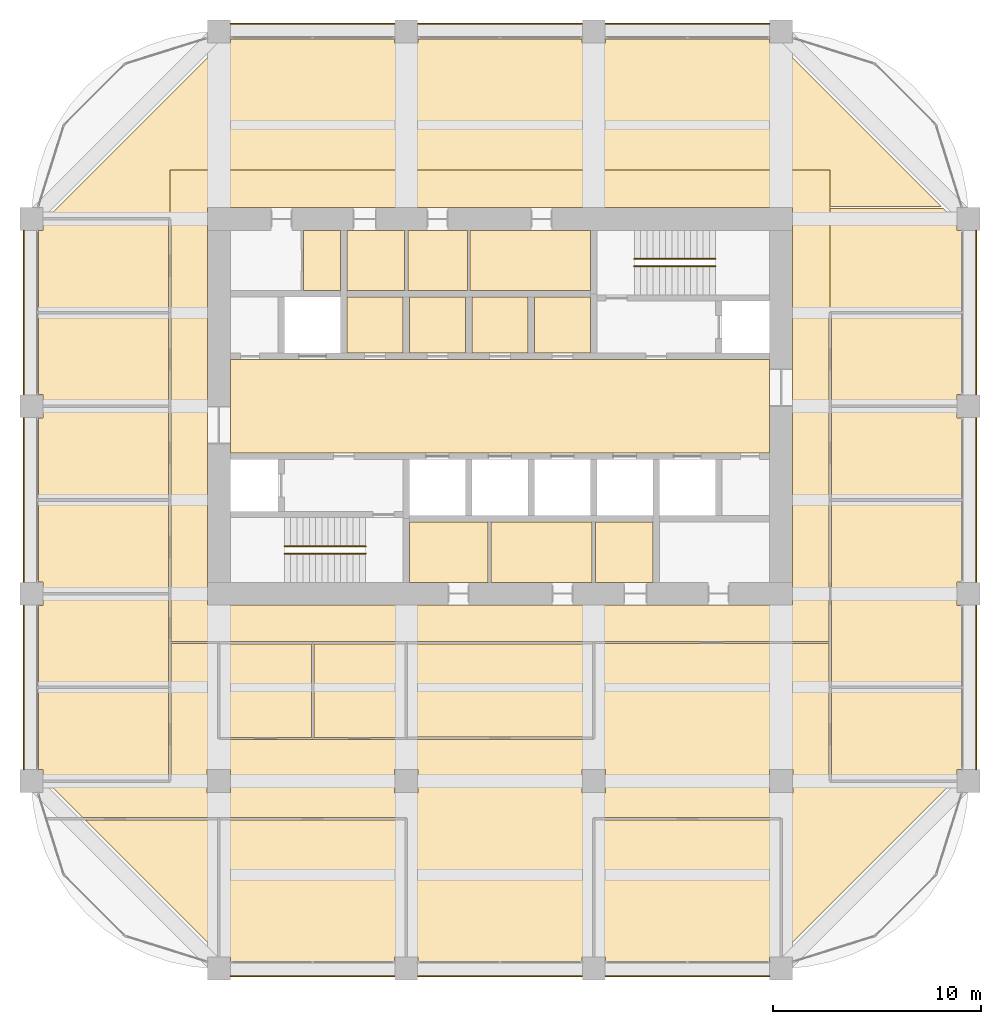
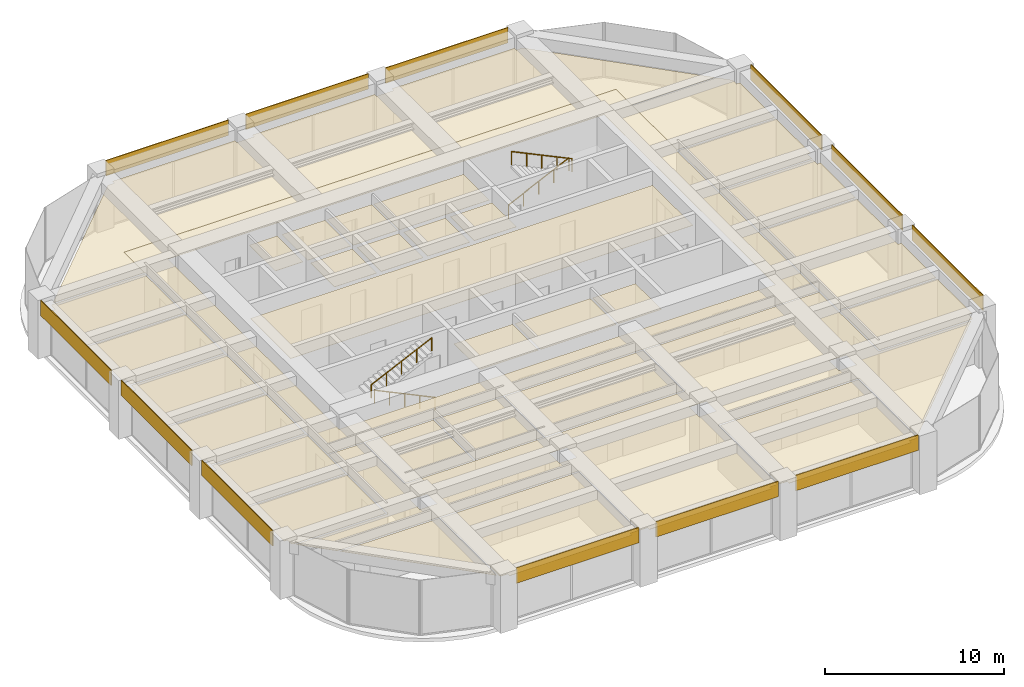
# One storey, part 44 of 44: 44 coverings, 4 railings.
"""IFC4 building model written with IfcOpenShell, lengths in metres."""

from ifc_helpers import new_model, si_unit, direction, frame, frame_2d, origin, origin_2d, place, context, subcontext, project, spatial, polyline, rectangle, circle, outline, extrude, material, layer, layer_set, type_object, element, save


model = new_model("IFC4")

# Units and contexts
model_context = context("Model", 3, precision=1e-05, world=origin(), true_north=direction((0.0, 1.0)))
body_context = subcontext(model_context, "Body", "Model", "MODEL_VIEW")
ifc_project = project(units=[si_unit("LENGTHUNIT", "METRE"), si_unit("AREAUNIT", "SQUARE_METRE"), si_unit("VOLUMEUNIT", "CUBIC_METRE"), si_unit("PLANEANGLEUNIT", "RADIAN"), si_unit("MASSUNIT", "GRAM", prefix="KILO")], contexts=[model_context])

# Site, building, storey
site_placement = place(None, origin())
site = spatial("IfcSite", under=ifc_project, at=site_placement, CompositionType="ELEMENT")
building_placement = place(site_placement, origin())
building = spatial("IfcBuilding", under=site, at=building_placement, Name="Zorevar Civic Tower", CompositionType="ELEMENT")
storey_placement = place(building_placement, frame((0.0, 0.0, 287.39990234375)))
storey = spatial("IfcBuildingStorey", under=building, at=storey_placement, Name="L70", CompositionType="ELEMENT", Elevation=287.39990234375)

# Railings
ifc_material_1 = material(Name="Black steel handrail", Category="steel")
railing_type = type_object("IfcRailingType", Name="Handrail HR1 900", PredefinedType="HANDRAIL", material=ifc_material_1)
railing_1_placement = place(storey_placement, frame((25.050048828125, 19.925048828125, 0.14306640625)))
element("IfcRailing", 1, at=railing_1_placement, inside=storey, type_object=railing_type, Name="Handrail HR1 ST1 L70", PredefinedType="HANDRAIL", context=body_context, shape_type="SweptSolid", body=[
    extrude(circle(Radius=0.02392578125, at=origin_2d()), frame((0.0, 0.0, 0.8759765625), z_axis=(-0.902885590262, 0.0, 0.429880926418), x_axis=(0.0, -1.0, 0.0)), (0.0, 0.0, 1.0), 4.319580078125),
    extrude(circle(Radius=0.02099609375, at=origin_2d()), origin(), (0.0, 0.0, 1.0), 0.851806640625),
    extrude(circle(Radius=0.02099609375, at=origin_2d()), frame((-0.97509765625, 0.0, 0.46435546875)), (0.0, 0.0, 1.0), 0.851806640625),
    extrude(circle(Radius=0.02099609375, at=origin_2d()), frame((-1.9501953125, 0.0, 0.928466796875)), (0.0, 0.0, 1.0), 0.851806640625),
    extrude(circle(Radius=0.02099609375, at=origin_2d()), frame((-2.925048828125, 0.0, 1.392578125)), (0.0, 0.0, 1.0), 0.851806640625),
    extrude(circle(Radius=0.02099609375, at=origin_2d()), frame((-3.900146484375, 0.0, 1.85693359375)), (0.0, 0.0, 1.0), 0.851806640625),
])
for number, where, name in (
    (2, (21.14990234375, 20.27490234375, 2.14306640625), "Handrail HR1 ST1 L70"),
    (3, (37.949951171875, 34.074951171875, 0.14306640625), "Handrail HR1 ST2 L70"),
):
    element("IfcRailing", number, at=place(storey_placement, frame(where)), inside=storey, type_object=railing_type, Name=name, PredefinedType="HANDRAIL", context=body_context, shape_type="SweptSolid", body=[
        extrude(circle(Radius=0.02392578125, at=origin_2d()), frame((0.0, 0.0, 0.8759765625), z_axis=(0.902885590262, 0.0, 0.429880926418), x_axis=(0.0, 1.0, 0.0)), (0.0, 0.0, 1.0), 4.319580078125),
        extrude(circle(Radius=0.02099609375, at=origin_2d()), origin(), (0.0, 0.0, 1.0), 0.851806640625),
        extrude(circle(Radius=0.02099609375, at=origin_2d()), frame((0.97509765625, 0.0, 0.46435546875)), (0.0, 0.0, 1.0), 0.851806640625),
        extrude(circle(Radius=0.02099609375, at=origin_2d()), frame((1.9501953125, 0.0, 0.928466796875)), (0.0, 0.0, 1.0), 0.851806640625),
        extrude(circle(Radius=0.02099609375, at=origin_2d()), frame((2.925048828125, 0.0, 1.392578125)), (0.0, 0.0, 1.0), 0.851806640625),
        extrude(circle(Radius=0.02099609375, at=origin_2d()), frame((3.900146484375, 0.0, 1.85693359375)), (0.0, 0.0, 1.0), 0.851806640625),
    ])
railing_2_placement = place(storey_placement, frame((41.85009765625, 33.72509765625, 2.14306640625)))
element("IfcRailing", 4, at=railing_2_placement, inside=storey, type_object=railing_type, Name="Handrail HR1 ST2 L70", PredefinedType="HANDRAIL", context=body_context, shape_type="SweptSolid", body=[
    extrude(circle(Radius=0.02392578125, at=origin_2d()), frame((0.0, 0.0, 0.8759765625), z_axis=(-0.902885590262, 0.0, 0.429880926418), x_axis=(0.0, -1.0, 0.0)), (0.0, 0.0, 1.0), 4.319580078125),
    extrude(circle(Radius=0.02099609375, at=origin_2d()), origin(), (0.0, 0.0, 1.0), 0.851806640625),
    extrude(circle(Radius=0.02099609375, at=origin_2d()), frame((-0.97509765625, 0.0, 0.46435546875)), (0.0, 0.0, 1.0), 0.851806640625),
    extrude(circle(Radius=0.02099609375, at=origin_2d()), frame((-1.9501953125, 0.0, 0.928466796875)), (0.0, 0.0, 1.0), 0.851806640625),
    extrude(circle(Radius=0.02099609375, at=origin_2d()), frame((-2.925048828125, 0.0, 1.392578125)), (0.0, 0.0, 1.0), 0.851806640625),
    extrude(circle(Radius=0.02099609375, at=origin_2d()), frame((-3.900146484375, 0.0, 1.85693359375)), (0.0, 0.0, 1.0), 0.851806640625),
])

# Coverings
ifc_material_2 = material(Name="Moisture-resistant gypsum board")
ifc_layer_1 = layer(ifc_material_2, 0.012451171875)
ifc_layer_set_1 = layer_set([ifc_layer_1], Name="Moisture-resistant ceiling SC3")
covering_type_1 = type_object("IfcCoveringType", Name="Moisture-resistant ceiling SC3", PredefinedType="CEILING", material=ifc_layer_set_1)
covering_1_placement = place(storey_placement, frame((0.0, 0.0, 3.0)))
element("IfcCovering", 5, at=covering_1_placement, inside=storey, type_object=covering_type_1, Name="Ceiling L70-05", PredefinedType="CEILING", context=body_context, shape_type="SweptSolid", body=[
    extrude(outline(polyline([(30.925048828125, 18.550048828125), (30.925048828125, 21.449951171875), (27.14990234375, 21.449951171875), (27.14990234375, 18.550048828125), (30.925048828125, 18.550048828125)])), origin(), (0.0, 0.0, 1.0), 0.0126953125),
])
covering_2_placement = place(storey_placement, frame((0.0, 0.0, 3.0)))
element("IfcCovering", 6, at=covering_2_placement, inside=storey, type_object=covering_type_1, Name="Ceiling L70-06", PredefinedType="CEILING", context=body_context, shape_type="SweptSolid", body=[
    extrude(outline(polyline([(35.925048828125, 18.550048828125), (35.925048828125, 21.449951171875), (31.074951171875, 21.449951171875), (31.074951171875, 18.550048828125), (35.925048828125, 18.550048828125)])), origin(), (0.0, 0.0, 1.0), 0.0126953125),
])
covering_3_placement = place(storey_placement, frame((0.0, 0.0, 3.0)))
element("IfcCovering", 7, at=covering_3_placement, inside=storey, type_object=covering_type_1, Name="Ceiling L70-07", PredefinedType="CEILING", context=body_context, shape_type="SweptSolid", body=[
    extrude(outline(polyline([(38.85009765625, 18.550048828125), (38.85009765625, 21.449951171875), (36.074951171875, 21.449951171875), (36.074951171875, 18.550048828125), (38.85009765625, 18.550048828125)])), origin(), (0.0, 0.0, 1.0), 0.0126953125),
])
covering_4_placement = place(storey_placement, frame((0.0, 0.0, 3.0)))
element("IfcCovering", 8, at=covering_4_placement, inside=storey, type_object=covering_type_1, Name="Ceiling L70-10", PredefinedType="CEILING", context=body_context, shape_type="SweptSolid", body=[
    extrude(outline(polyline([(26.925048828125, 32.550048828125), (26.925048828125, 35.449951171875), (24.14990234375, 35.449951171875), (24.14990234375, 32.550048828125), (26.925048828125, 32.550048828125)])), origin(), (0.0, 0.0, 1.0), 0.0126953125),
])
ifc_material_3 = material(Name="Black anodised aluminium spandrel panel", Category="aluminium")
ifc_layer_2 = layer(ifc_material_3, 0.050048828125)
ifc_layer_set_2 = layer_set([ifc_layer_2], Name="Spandrel cladding SP1")
covering_type_2 = type_object("IfcCoveringType", Name="Spandrel cladding SP1", PredefinedType="CLADDING", material=ifc_layer_set_2)
for number, where, z_axis, x_axis, name in (
    (9, (18.550048828125, -0.375, 2.9501953125), (0.0, 0.0, 1.0), (1.0, 0.0, 0.0), "Spandrel cladding L71"),
    (10, (27.550048828125, -0.375, 2.9501953125), (0.0, 0.0, 1.0), (1.0, 0.0, 0.0), "Spandrel cladding L71"),
    (11, (36.550048828125, -0.375, 2.9501953125), (0.0, 0.0, 1.0), (1.0, 0.0, 0.0), "Spandrel cladding L71"),
    (12, (18.550048828125, 45.375, 2.9501953125), (0.0, 0.0, 1.0), (1.0, 0.0, 0.0), "Spandrel cladding L71"),
    (13, (27.550048828125, 45.375, 2.9501953125), (0.0, 0.0, 1.0), (1.0, 0.0, 0.0), "Spandrel cladding L71"),
    (14, (36.550048828125, 45.375, 2.9501953125), (0.0, 0.0, 1.0), (1.0, 0.0, 0.0), "Spandrel cladding L71"),
    (15, (8.625, 9.550048828125, 2.9501953125), (0.0, 0.0, 1.0), (0.0, 1.0, 0.0), "Spandrel cladding L71"),
    (16, (8.625, 18.550048828125, 2.9501953125), (0.0, 0.0, 1.0), (0.0, 1.0, 0.0), "Spandrel cladding L71"),
    (17, (8.625, 27.550048828125, 2.9501953125), (0.0, 0.0, 1.0), (0.0, 1.0, 0.0), "Spandrel cladding L71"),
    (18, (54.375, 9.550048828125, 2.9501953125), (0.0, 0.0, 1.0), (0.0, 1.0, 0.0), "Spandrel cladding L71"),
    (19, (54.375, 18.550048828125, 2.9501953125), (0.0, 0.0, 1.0), (0.0, 1.0, 0.0), "Spandrel cladding L71"),
    (20, (54.375, 27.550048828125, 2.9501953125), (0.0, 0.0, 1.0), (0.0, 1.0, 0.0), "Spandrel cladding L71"),
):
    element("IfcCovering", number, at=place(storey_placement, frame(where, z_axis=z_axis, x_axis=x_axis)), inside=storey, type_object=covering_type_2, Name=name, PredefinedType="CLADDING", context=body_context, shape_type="SweptSolid", body=[
        extrude(rectangle(XDim=7.89990234375, YDim=0.050048828125, at=frame_2d((3.949951171875, 0.0))), origin(), (0.0, 0.0, 1.0), 1.0498046875),
    ])
ifc_material_4 = material(Name="Mineral fibre tiles on a concealed grid")
ifc_layer_3 = layer(ifc_material_4, 0.02001953125)
ifc_layer_set_3 = layer_set([ifc_layer_3], Name="Suspended ceiling SC1")
covering_type_3 = type_object("IfcCoveringType", Name="Suspended ceiling SC1", PredefinedType="CEILING", material=ifc_layer_set_3)
covering_5_placement = place(storey_placement, frame((0.0, 0.0, 3.0)))
element("IfcCovering", 21, at=covering_5_placement, inside=storey, type_object=covering_type_3, Name="Ceiling L70-08", PredefinedType="CEILING", context=body_context, shape_type="SweptSolid", body=[
    extrude(outline(polyline([(35.85009765625, 32.550048828125), (35.85009765625, 35.449951171875), (30.06005859375, 35.449951171875), (30.06005859375, 32.550048828125), (35.85009765625, 32.550048828125)])), origin(), (0.0, 0.0, 1.0), 0.02001953125),
])
covering_6_placement = place(storey_placement, frame((0.0, 0.0, 3.0)))
element("IfcCovering", 22, at=covering_6_placement, inside=storey, type_object=covering_type_3, Name="Ceiling L70-09", PredefinedType="CEILING", context=body_context, shape_type="SweptSolid", body=[
    extrude(outline(polyline([(29.93994140625, 32.550048828125), (29.93994140625, 35.449951171875), (27.074951171875, 35.449951171875), (27.074951171875, 32.550048828125), (29.93994140625, 32.550048828125)])), origin(), (0.0, 0.0, 1.0), 0.02001953125),
])
covering_7_placement = place(storey_placement, frame((0.0, 0.0, 3.0)))
element("IfcCovering", 23, at=covering_7_placement, inside=storey, type_object=covering_type_3, Name="Ceiling L70-12", PredefinedType="CEILING", context=body_context, shape_type="SweptSolid", body=[
    extrude(outline(polyline([(23.85009765625, 32.550048828125), (23.85009765625, 35.449951171875), (22.06005859375, 35.449951171875), (22.06005859375, 32.550048828125), (23.85009765625, 32.550048828125)])), origin(), (0.0, 0.0, 1.0), 0.02001953125),
])
covering_8_placement = place(storey_placement, frame((0.0, 0.0, 3.0)))
element("IfcCovering", 24, at=covering_8_placement, inside=storey, type_object=covering_type_3, Name="Ceiling L70-16", PredefinedType="CEILING", context=body_context, shape_type="SweptSolid", body=[
    extrude(outline(polyline([(44.449951171875, 24.75), (44.449951171875, 29.25), (18.550048828125, 29.25), (18.550048828125, 24.75), (44.449951171875, 24.75)])), origin(), (0.0, 0.0, 1.0), 0.02001953125),
])
covering_9_placement = place(storey_placement, frame((0.0, 0.0, 3.0)))
element("IfcCovering", 25, at=covering_9_placement, inside=storey, type_object=covering_type_3, Name="Ceiling L70-17", PredefinedType="CEILING", context=body_context, shape_type="SweptSolid", body=[
    extrude(outline(polyline([(35.85009765625, 29.550048828125), (35.85009765625, 32.25), (33.14990234375, 32.25), (33.14990234375, 29.550048828125), (35.85009765625, 29.550048828125)])), origin(), (0.0, 0.0, 1.0), 0.02001953125),
])
covering_10_placement = place(storey_placement, frame((0.0, 0.0, 3.0)))
element("IfcCovering", 26, at=covering_10_placement, inside=storey, type_object=covering_type_3, Name="Ceiling L70-18", PredefinedType="CEILING", context=body_context, shape_type="SweptSolid", body=[
    extrude(outline(polyline([(32.85009765625, 29.550048828125), (32.85009765625, 32.25), (30.14990234375, 32.25), (30.14990234375, 29.550048828125), (32.85009765625, 29.550048828125)])), origin(), (0.0, 0.0, 1.0), 0.02001953125),
])
covering_11_placement = place(storey_placement, frame((0.0, 0.0, 3.0)))
element("IfcCovering", 27, at=covering_11_placement, inside=storey, type_object=covering_type_3, Name="Ceiling L70-19", PredefinedType="CEILING", context=body_context, shape_type="SweptSolid", body=[
    extrude(outline(polyline([(29.85009765625, 29.550048828125), (29.85009765625, 32.25), (27.14990234375, 32.25), (27.14990234375, 29.550048828125), (29.85009765625, 29.550048828125)])), origin(), (0.0, 0.0, 1.0), 0.02001953125),
])
covering_12_placement = place(storey_placement, frame((0.0, 0.0, 3.0)))
element("IfcCovering", 28, at=covering_12_placement, inside=storey, type_object=covering_type_3, Name="Ceiling L70-20", PredefinedType="CEILING", context=body_context, shape_type="SweptSolid", body=[
    extrude(outline(polyline([(26.85009765625, 29.550048828125), (26.85009765625, 32.25), (24.14990234375, 32.25), (24.14990234375, 29.550048828125), (26.85009765625, 29.550048828125)])), origin(), (0.0, 0.0, 1.0), 0.02001953125),
])
covering_13_placement = place(storey_placement, frame((0.0, 0.0, 3.0)))
element("IfcCovering", 29, at=covering_13_placement, inside=storey, type_object=covering_type_3, Name="Ceiling L70-21", PredefinedType="CEILING", context=body_context, shape_type="SweptSolid", body=[
    extrude(outline(polyline([(53.64990234375, 13.43994140625), (53.64990234375, 9.56005859375), (53.43994140625, 9.56005859375), (53.43994140625, 9.147216796875), (53.352783203125, 9.06005859375), (47.409912109375, 9.06005859375), (47.409912109375, 13.43994140625), (53.64990234375, 13.43994140625)])), origin(), (0.0, 0.0, 1.0), 0.02001953125),
])
covering_14_placement = place(storey_placement, frame((0.0, 0.0, 3.0)))
element("IfcCovering", 30, at=covering_14_placement, inside=storey, type_object=covering_type_3, Name="Ceiling L70-22", PredefinedType="CEILING", context=body_context, shape_type="SweptSolid", body=[
    extrude(outline(polyline([(47.409912109375, 22.43994140625), (53.64990234375, 22.43994140625), (53.64990234375, 18.56005859375), (53.43994140625, 18.56005859375), (53.43994140625, 17.43994140625), (53.64990234375, 17.43994140625), (53.64990234375, 13.56005859375), (47.409912109375, 13.56005859375), (47.409912109375, 22.43994140625)])), origin(), (0.0, 0.0, 1.0), 0.02001953125),
])
covering_15_placement = place(storey_placement, frame((0.0, 0.0, 3.0)))
element("IfcCovering", 31, at=covering_15_placement, inside=storey, type_object=covering_type_3, Name="Ceiling L70-23", PredefinedType="CEILING", context=body_context, shape_type="SweptSolid", body=[
    extrude(outline(polyline([(47.409912109375, 26.93994140625), (53.43994140625, 26.93994140625), (53.43994140625, 26.43994140625), (53.64990234375, 26.43994140625), (53.64990234375, 22.56005859375), (47.409912109375, 22.56005859375), (47.409912109375, 26.93994140625)])), origin(), (0.0, 0.0, 1.0), 0.02001953125),
])
covering_16_placement = place(storey_placement, frame((0.0, 0.0, 3.0)))
element("IfcCovering", 32, at=covering_16_placement, inside=storey, type_object=covering_type_3, Name="Ceiling L70-24", PredefinedType="CEILING", context=body_context, shape_type="SweptSolid", body=[
    extrude(outline(polyline([(47.409912109375, 31.43994140625), (53.64990234375, 31.43994140625), (53.64990234375, 27.56005859375), (53.43994140625, 27.56005859375), (53.43994140625, 27.06005859375), (47.409912109375, 27.06005859375), (47.409912109375, 31.43994140625)])), origin(), (0.0, 0.0, 1.0), 0.02001953125),
])
covering_17_placement = place(storey_placement, frame((0.0, 0.0, 3.0)))
element("IfcCovering", 33, at=covering_17_placement, inside=storey, type_object=covering_type_3, Name="Ceiling L70-25", PredefinedType="CEILING", context=body_context, shape_type="SweptSolid", body=[
    extrude(outline(polyline([(18.56005859375, 0.56005859375), (18.147216796875, 0.56005859375), (18.06005859375, 0.647216796875), (18.06005859375, 7.139892578125), (26.93994140625, 7.139892578125), (26.93994140625, 0.56005859375), (26.43994140625, 0.56005859375), (26.43994140625, 0.35009765625), (18.56005859375, 0.35009765625), (18.56005859375, 0.56005859375)])), origin(), (0.0, 0.0, 1.0), 0.02001953125),
])
covering_18_placement = place(storey_placement, frame((0.0, 0.0, 3.0)))
element("IfcCovering", 34, at=covering_18_placement, inside=storey, type_object=covering_type_3, Name="Ceiling L70-26", PredefinedType="CEILING", context=body_context, shape_type="SweptSolid", body=[
    extrude(outline(polyline([(36.56005859375, 0.56005859375), (36.06005859375, 0.56005859375), (36.06005859375, 7.139892578125), (44.93994140625, 7.139892578125), (44.93994140625, 0.647216796875), (44.852783203125, 0.56005859375), (44.43994140625, 0.56005859375), (44.43994140625, 0.35009765625), (36.56005859375, 0.35009765625), (36.56005859375, 0.56005859375)])), origin(), (0.0, 0.0, 1.0), 0.02001953125),
])
covering_19_placement = place(storey_placement, frame((0.0, 0.0, 3.0)))
element("IfcCovering", 35, at=covering_19_placement, inside=storey, type_object=covering_type_3, Name="Ceiling L70-27", PredefinedType="CEILING", context=body_context, shape_type="SweptSolid", body=[
    extrude(outline(polyline([(9.647216796875, 9.06005859375), (9.56005859375, 9.147216796875), (9.56005859375, 9.56005859375), (9.35009765625, 9.56005859375), (9.35009765625, 13.43994140625), (15.590087890625, 13.43994140625), (15.590087890625, 9.06005859375), (9.647216796875, 9.06005859375)])), origin(), (0.0, 0.0, 1.0), 0.02001953125),
])
covering_20_placement = place(storey_placement, frame((0.0, 0.0, 3.0)))
element("IfcCovering", 36, at=covering_20_placement, inside=storey, type_object=covering_type_3, Name="Ceiling L70-28", PredefinedType="CEILING", context=body_context, shape_type="SweptSolid", body=[
    extrude(outline(polyline([(15.590087890625, 13.56005859375), (9.35009765625, 13.56005859375), (9.35009765625, 17.43994140625), (9.56005859375, 17.43994140625), (9.56005859375, 17.93994140625), (15.590087890625, 17.93994140625), (15.590087890625, 13.56005859375)])), origin(), (0.0, 0.0, 1.0), 0.02001953125),
])
covering_21_placement = place(storey_placement, frame((0.0, 0.0, 3.0)))
element("IfcCovering", 37, at=covering_21_placement, inside=storey, type_object=covering_type_3, Name="Ceiling L70-29", PredefinedType="CEILING", context=body_context, shape_type="SweptSolid", body=[
    extrude(outline(polyline([(15.590087890625, 18.06005859375), (9.56005859375, 18.06005859375), (9.56005859375, 18.56005859375), (9.35009765625, 18.56005859375), (9.35009765625, 22.43994140625), (15.590087890625, 22.43994140625), (15.590087890625, 18.06005859375)])), origin(), (0.0, 0.0, 1.0), 0.02001953125),
])
covering_22_placement = place(storey_placement, frame((0.0, 0.0, 3.0)))
element("IfcCovering", 38, at=covering_22_placement, inside=storey, type_object=covering_type_3, Name="Ceiling L70-30", PredefinedType="CEILING", context=body_context, shape_type="SweptSolid", body=[
    extrude(outline(polyline([(15.590087890625, 22.56005859375), (9.35009765625, 22.56005859375), (9.35009765625, 26.43994140625), (9.56005859375, 26.43994140625), (9.56005859375, 26.93994140625), (15.590087890625, 26.93994140625), (15.590087890625, 22.56005859375)])), origin(), (0.0, 0.0, 1.0), 0.02001953125),
])
covering_23_placement = place(storey_placement, frame((0.0, 0.0, 3.0)))
element("IfcCovering", 39, at=covering_23_placement, inside=storey, type_object=covering_type_3, Name="Ceiling L70-31", PredefinedType="CEILING", context=body_context, shape_type="SweptSolid", body=[
    extrude(outline(polyline([(15.590087890625, 27.06005859375), (9.56005859375, 27.06005859375), (9.56005859375, 27.56005859375), (9.35009765625, 27.56005859375), (9.35009765625, 31.43994140625), (15.590087890625, 31.43994140625), (15.590087890625, 27.06005859375)])), origin(), (0.0, 0.0, 1.0), 0.02001953125),
])
covering_24_placement = place(storey_placement, frame((0.0, 0.0, 3.0)))
element("IfcCovering", 40, at=covering_24_placement, inside=storey, type_object=covering_type_3, Name="Ceiling L70-32", PredefinedType="CEILING", context=body_context, shape_type="SweptSolid", body=[
    extrude(outline(polyline([(9.35009765625, 31.56005859375), (9.35009765625, 35.43994140625), (9.56005859375, 35.43994140625), (9.56005859375, 35.852783203125), (9.647216796875, 35.93994140625), (15.590087890625, 35.93994140625), (15.590087890625, 31.56005859375), (9.35009765625, 31.56005859375)])), origin(), (0.0, 0.0, 1.0), 0.02001953125),
])
covering_25_placement = place(storey_placement, frame((0.0, 0.0, 3.0)))
element("IfcCovering", 41, at=covering_25_placement, inside=storey, type_object=covering_type_3, Name="Ceiling L70-33", PredefinedType="CEILING", context=body_context, shape_type="SweptSolid", body=[
    extrude(outline(polyline([(35.93994140625, 11.110107421875), (27.06005859375, 11.110107421875), (27.06005859375, 15.590087890625), (35.93994140625, 15.590087890625), (35.93994140625, 11.110107421875)])), origin(), (0.0, 0.0, 1.0), 0.02001953125),
])
covering_26_placement = place(storey_placement, frame((0.0, 0.0, 3.0)))
element("IfcCovering", 42, at=covering_26_placement, inside=storey, type_object=covering_type_3, Name="Ceiling L70-34", PredefinedType="CEILING", context=body_context, shape_type="SweptSolid", body=[
    extrude(outline(polyline([(18.06005859375, 11.10009765625), (18.06005859375, 15.590087890625), (22.43994140625, 15.590087890625), (22.43994140625, 11.10009765625), (18.06005859375, 11.10009765625)])), origin(), (0.0, 0.0, 1.0), 0.02001953125),
])
covering_27_placement = place(storey_placement, frame((0.0, 0.0, 3.0)))
element("IfcCovering", 43, at=covering_27_placement, inside=storey, type_object=covering_type_3, Name="Ceiling L70-35", PredefinedType="CEILING", context=body_context, shape_type="SweptSolid", body=[
    extrude(outline(polyline([(22.56005859375, 11.10009765625), (22.56005859375, 15.590087890625), (26.93994140625, 15.590087890625), (26.93994140625, 11.10009765625), (22.56005859375, 11.10009765625)])), origin(), (0.0, 0.0, 1.0), 0.02001953125),
])
covering_28_placement = place(storey_placement, frame((0.0, 0.0, 3.0)))
element("IfcCovering", 44, at=covering_28_placement, inside=storey, type_object=covering_type_3, Name="Ceiling L70-36", PredefinedType="CEILING", context=body_context, shape_type="SweptSolid", body=[
    extrude(outline(polyline([(17.93994140625, 7.139892578125), (17.93994140625, 0.76708984375), (11.567138671875, 7.139892578125), (17.93994140625, 7.139892578125)])), origin(), (0.0, 0.0, 1.0), 0.02001953125),
])
covering_29_placement = place(storey_placement, frame((0.0, 0.0, 3.0)))
element("IfcCovering", 45, at=covering_29_placement, inside=storey, type_object=covering_type_3, Name="Ceiling L70-37", PredefinedType="CEILING", context=body_context, shape_type="SweptSolid", body=[
    extrude(outline(polyline([(47.35009765625, 38.35009765625), (47.35009765625, 31.5), (47.2900390625, 31.5), (47.2900390625, 15.699951171875), (36.010009765625, 15.699951171875), (36.010009765625, 15.64990234375), (36.0, 15.64990234375), (36.0, 15.7099609375), (18.0, 15.7099609375), (18.0, 15.64990234375), (17.989990234375, 15.64990234375), (17.989990234375, 15.699951171875), (15.7099609375, 15.699951171875), (15.7099609375, 36.0), (15.64990234375, 36.0), (15.64990234375, 38.35009765625), (47.35009765625, 38.35009765625)]), holes=[polyline([(45.550048828125, 17.449951171875), (45.550048828125, 36.550048828125), (17.449951171875, 36.550048828125), (17.449951171875, 17.449951171875), (45.550048828125, 17.449951171875)])]), origin(), (0.0, 0.0, 1.0), 0.02001953125),
])
covering_30_placement = place(storey_placement, frame((0.0, 0.0, 3.0)))
element("IfcCovering", 46, at=covering_30_placement, inside=storey, type_object=covering_type_3, Name="Ceiling L70-38", PredefinedType="CEILING", context=body_context, shape_type="SweptSolid", body=[
    extrude(outline(polyline([(47.35009765625, 36.5), (52.79296875, 36.5), (53.43994140625, 35.852783203125), (53.43994140625, 35.43994140625), (53.64990234375, 35.43994140625), (53.64990234375, 31.56005859375), (47.35009765625, 31.56005859375), (47.35009765625, 36.5)])), origin(), (0.0, 0.0, 1.0), 0.02001953125),
])
covering_31_placement = place(storey_placement, frame((0.0, 0.0, 3.0)))
element("IfcCovering", 47, at=covering_31_placement, inside=storey, type_object=covering_type_3, Name="Ceiling L70-39", PredefinedType="CEILING", context=body_context, shape_type="SweptSolid", body=[
    extrude(outline(polyline([(18.56005859375, 44.43994140625), (18.56005859375, 44.64892578125), (26.43994140625, 44.64892578125), (26.43994140625, 44.43994140625), (27.56005859375, 44.43994140625), (27.56005859375, 44.64892578125), (35.43994140625, 44.64892578125), (35.43994140625, 44.43994140625), (36.56005859375, 44.43994140625), (36.56005859375, 44.64892578125), (44.43994140625, 44.64892578125), (44.43994140625, 44.43994140625), (44.852783203125, 44.43994140625), (52.69189453125, 36.60107421875), (47.35107421875, 36.60107421875), (47.35009765625, 38.35107421875), (15.64990234375, 38.35107421875), (15.64990234375, 36.06005859375), (9.76708984375, 36.06005859375), (18.147216796875, 44.43994140625), (18.56005859375, 44.43994140625)])), origin(), (0.0, 0.0, 1.0), 0.02001953125),
])
covering_32_placement = place(storey_placement, frame((0.0, 0.0, 3.0)))
element("IfcCovering", 48, at=covering_32_placement, inside=storey, type_object=covering_type_3, Name="Ceiling L70-40", PredefinedType="CEILING", context=body_context, shape_type="SweptSolid", body=[
    extrude(outline(polyline([(36.0, 11.050048828125), (36.06005859375, 11.050048828125), (36.06005859375, 15.60009765625), (47.2900390625, 15.60009765625), (47.2900390625, 9.0), (47.35009765625, 9.0), (47.35009765625, 8.93994140625), (53.23291015625, 8.93994140625), (45.06005859375, 0.76708984375), (45.06005859375, 7.199951171875), (45.0, 7.199951171875), (45.0, 7.260009765625), (36.0, 7.260009765625), (36.0, 7.199951171875), (35.93994140625, 7.199951171875), (35.93994140625, 0.56005859375), (35.43994140625, 0.56005859375), (35.43994140625, 0.35009765625), (27.56005859375, 0.35009765625), (27.56005859375, 0.56005859375), (27.06005859375, 0.56005859375), (27.06005859375, 7.199951171875), (27.0, 7.199951171875), (27.0, 7.260009765625), (11.447021484375, 7.260009765625), (9.76708984375, 8.93994140625), (15.64990234375, 8.93994140625), (15.64990234375, 9.0), (15.7099609375, 9.0), (15.7099609375, 15.60009765625), (17.93994140625, 15.60009765625), (17.93994140625, 11.050048828125), (18.0, 11.050048828125), (18.0, 11.0), (27.0, 11.0), (27.0, 10.989990234375), (36.0, 10.989990234375), (36.0, 11.050048828125)]), holes=[polyline([(17.43994140625, 9.56005859375), (17.43994140625, 8.43994140625), (18.56005859375, 8.43994140625), (18.56005859375, 9.56005859375), (17.43994140625, 9.56005859375)]), polyline([(27.56005859375, 8.43994140625), (27.56005859375, 9.56005859375), (26.43994140625, 9.56005859375), (26.43994140625, 8.43994140625), (27.56005859375, 8.43994140625)]), polyline([(35.43994140625, 9.56005859375), (35.43994140625, 8.43994140625), (36.56005859375, 8.43994140625), (36.56005859375, 9.56005859375), (35.43994140625, 9.56005859375)]), polyline([(45.56005859375, 8.43994140625), (45.56005859375, 9.56005859375), (44.43994140625, 9.56005859375), (44.43994140625, 8.43994140625), (45.56005859375, 8.43994140625)])]), origin(), (0.0, 0.0, 1.0), 0.02001953125),
])

save(model, "model.ifc")
